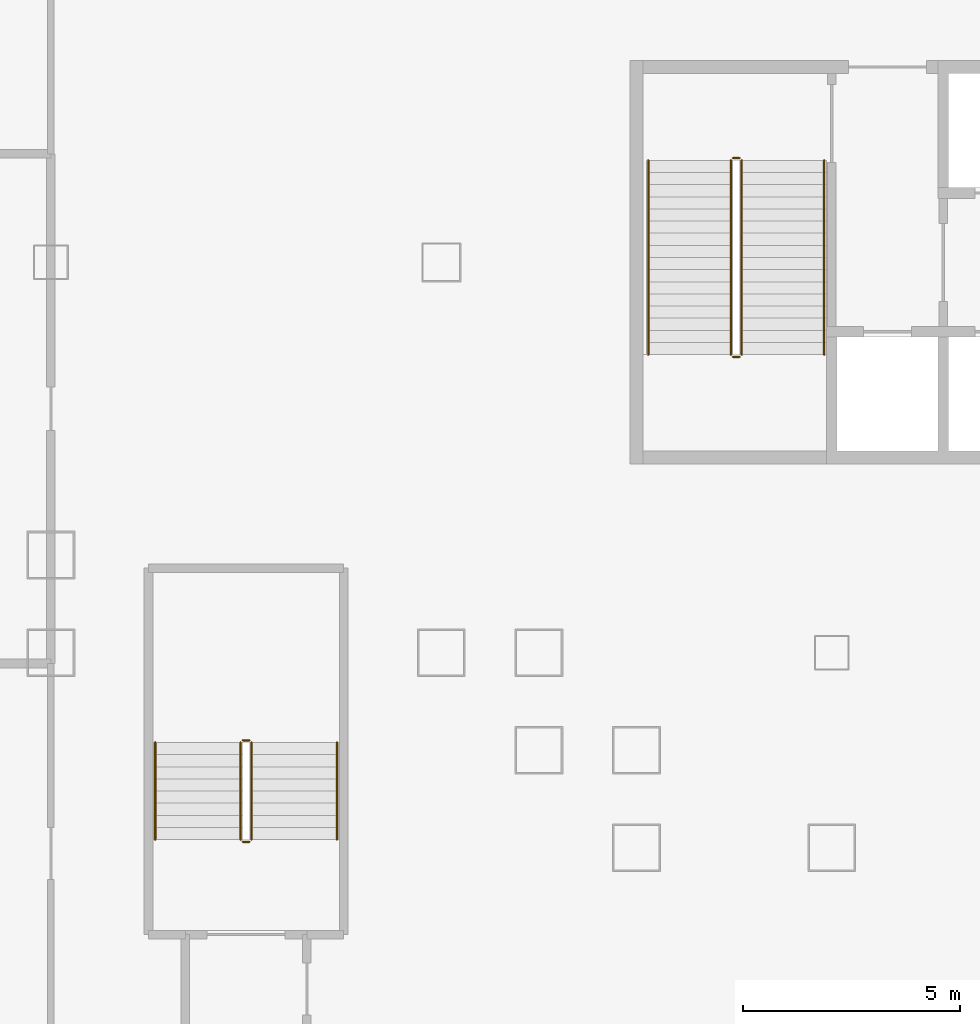
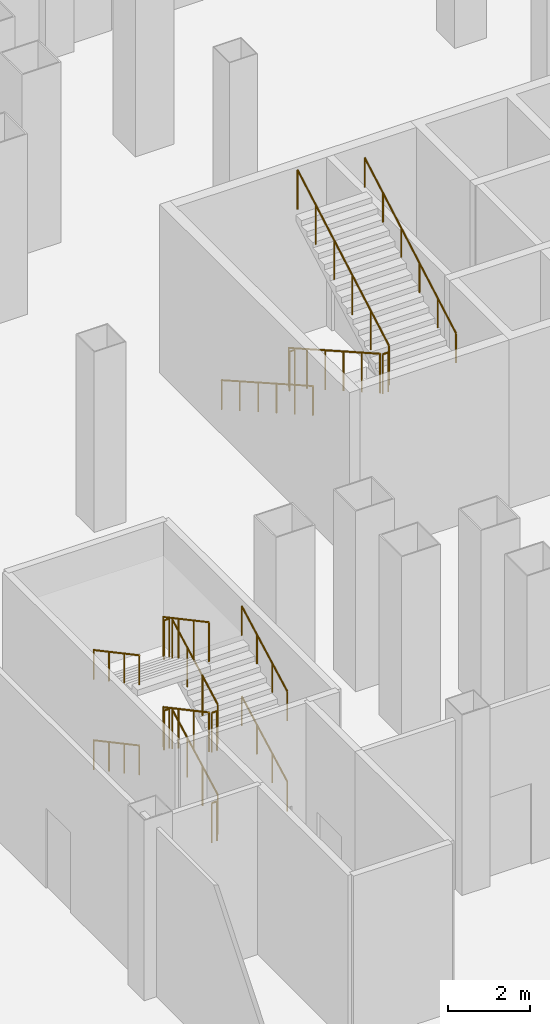
# One storey, part 22 of 26: 18 railings.
"""IFC4 building model written with IfcOpenShell, lengths in metres."""

from ifc_helpers import new_model, si_unit, direction, frame, origin, origin_2d, place, context, subcontext, project, spatial, circle, extrude, material, type_object, element, save


model = new_model("IFC4")

# Units and contexts
model_context = context("Model", 3, precision=1e-05, world=origin(), true_north=direction((0.0, 1.0)))
body_context = subcontext(model_context, "Body", "Model", "MODEL_VIEW")
ifc_project = project(units=[si_unit("LENGTHUNIT", "METRE"), si_unit("AREAUNIT", "SQUARE_METRE"), si_unit("VOLUMEUNIT", "CUBIC_METRE"), si_unit("PLANEANGLEUNIT", "RADIAN"), si_unit("MASSUNIT", "GRAM", prefix="KILO")], contexts=[model_context])

# Site, building, storey
site_placement = place(None, origin())
site = spatial("IfcSite", under=ifc_project, at=site_placement, CompositionType="ELEMENT")
building_placement = place(site_placement, origin())
building = spatial("IfcBuilding", under=site, at=building_placement, Name="Caravel Reach Hotel and Residences", CompositionType="ELEMENT")
storey_placement = place(building_placement, frame((0.0, 0.0, 12.0)))
storey = spatial("IfcBuildingStorey", under=building, at=storey_placement, Name="L02", CompositionType="ELEMENT", Elevation=12.0)

# Railings
ifc_material_1 = material(Name="Steel balustrade with glass infill", Category="steel")
railing_type_1 = type_object("IfcRailingType", Name="Guard 1200", PredefinedType="GUARDRAIL", material=ifc_material_1)
railing_1_placement = place(storey_placement, frame((20.175048828125, 29.35009765625, 0.158935546875)))
element("IfcRailing", 1, at=railing_1_placement, inside=storey, type_object=railing_type_1, Name="L02 ST-A stair guard 1", PredefinedType="GUARDRAIL", context=body_context, shape_type="SweptSolid", body=[
    extrude(circle(Radius=0.02392578125, at=origin_2d()), frame((0.0, 0.0, 1.17578125), z_axis=(0.0, -0.869825572089, 0.493359376256), x_axis=(1.0, 0.0, 0.0)), (0.0, 0.0, 1.0), 5.150390625),
    extrude(circle(Radius=0.02099609375, at=origin_2d()), origin(), (0.0, 0.0, 1.0), 1.15185546875),
    extrude(circle(Radius=0.02099609375, at=origin_2d()), frame((0.0, -0.89599609375, 0.50830078125)), (0.0, 0.0, 1.0), 1.15185546875),
    extrude(circle(Radius=0.02099609375, at=origin_2d()), frame((0.0, -1.7919921875, 1.016357421875)), (0.0, 0.0, 1.0), 1.15185546875),
    extrude(circle(Radius=0.02099609375, at=origin_2d()), frame((0.0, -2.68798828125, 1.524658203125)), (0.0, 0.0, 1.0), 1.15185546875),
    extrude(circle(Radius=0.02099609375, at=origin_2d()), frame((0.0, -3.583984375, 2.03271484375)), (0.0, 0.0, 1.0), 1.15185546875),
    extrude(circle(Radius=0.02099609375, at=origin_2d()), frame((0.0, -4.47998046875, 2.541015625)), (0.0, 0.0, 1.0), 1.15185546875),
])
railing_2_placement = place(storey_placement, frame((20.22509765625, 24.820068359375, 2.699951171875)))
element("IfcRailing", 2, at=railing_2_placement, inside=storey, type_object=railing_type_1, Name="L02 ST-A stair guard 2", PredefinedType="GUARDRAIL", context=body_context, shape_type="SweptSolid", body=[
    extrude(circle(Radius=0.02392578125, at=origin_2d()), frame((0.0, 0.0, 1.17578125), z_axis=(1.0, 0.0, 0.0), x_axis=(0.0, 1.0, 0.0)), (0.0, 0.0, 1.0), 0.14990234375),
    extrude(circle(Radius=0.02099609375, at=origin_2d()), origin(), (0.0, 0.0, 1.0), 1.15185546875),
    extrude(circle(Radius=0.02099609375, at=origin_2d()), frame((0.14990234375, 0.0, 0.0)), (0.0, 0.0, 1.0), 1.15185546875),
])
railing_3_placement = place(storey_placement, frame((20.425048828125, 24.8701171875, 2.85888671875)))
element("IfcRailing", 3, at=railing_3_placement, inside=storey, type_object=railing_type_1, Name="L02 ST-A stair guard 3", PredefinedType="GUARDRAIL", context=body_context, shape_type="SweptSolid", body=[
    extrude(circle(Radius=0.02392578125, at=origin_2d()), frame((0.0, 0.0, 1.17578125), z_axis=(0.0, 0.869825572089, 0.493359376256), x_axis=(-1.0, 0.0, 0.0)), (0.0, 0.0, 1.0), 5.150390625),
    extrude(circle(Radius=0.02099609375, at=origin_2d()), origin(), (0.0, 0.0, 1.0), 1.15185546875),
    extrude(circle(Radius=0.02099609375, at=origin_2d()), frame((0.0, 0.89599609375, 0.50830078125)), (0.0, 0.0, 1.0), 1.15185546875),
    extrude(circle(Radius=0.02099609375, at=origin_2d()), frame((0.0, 1.7919921875, 1.016357421875)), (0.0, 0.0, 1.0), 1.15185546875),
    extrude(circle(Radius=0.02099609375, at=origin_2d()), frame((0.0, 2.68798828125, 1.524658203125)), (0.0, 0.0, 1.0), 1.15185546875),
    extrude(circle(Radius=0.02099609375, at=origin_2d()), frame((0.0, 3.583984375, 2.03271484375)), (0.0, 0.0, 1.0), 1.15185546875),
    extrude(circle(Radius=0.02099609375, at=origin_2d()), frame((0.0, 4.47998046875, 2.541015625)), (0.0, 0.0, 1.0), 1.15185546875),
])
railing_4_placement = place(storey_placement, frame((20.22509765625, 29.39990234375, 0.0)))
element("IfcRailing", 4, at=railing_4_placement, inside=storey, type_object=railing_type_1, Name="L02 ST-A stair guard 4", PredefinedType="GUARDRAIL", context=body_context, shape_type="SweptSolid", body=[
    extrude(circle(Radius=0.02392578125, at=origin_2d()), frame((0.0, 0.0, 1.17578125), z_axis=(1.0, 0.0, 0.0), x_axis=(0.0, 1.0, 0.0)), (0.0, 0.0, 1.0), 0.14990234375),
    extrude(circle(Radius=0.02099609375, at=origin_2d()), origin(), (0.0, 0.0, 1.0), 1.15185546875),
    extrude(circle(Radius=0.02099609375, at=origin_2d()), frame((0.14990234375, 0.0, 0.0)), (0.0, 0.0, 1.0), 1.15185546875),
])
railing_5_placement = place(storey_placement, frame((9.125, 13.68994140625, 0.14990234375)))
element("IfcRailing", 5, at=railing_5_placement, inside=storey, type_object=railing_type_1, Name="L02 ST-P3 stair guard 1", PredefinedType="GUARDRAIL", context=body_context, shape_type="SweptSolid", body=[
    extrude(circle(Radius=0.02392578125, at=origin_2d()), frame((0.0, 0.0, 1.17578125), z_axis=(0.0, 0.881447119201, 0.472282728937), x_axis=(-1.0, 0.0, 0.0)), (0.0, 0.0, 1.0), 2.541259765625),
    extrude(circle(Radius=0.02099609375, at=origin_2d()), origin(), (0.0, 0.0, 1.0), 1.15185546875),
    extrude(circle(Radius=0.02099609375, at=origin_2d()), frame((0.0, 0.74658203125, 0.400146484375)), (0.0, 0.0, 1.0), 1.15185546875),
    extrude(circle(Radius=0.02099609375, at=origin_2d()), frame((0.0, 1.493408203125, 0.800048828125)), (0.0, 0.0, 1.0), 1.15185546875),
    extrude(circle(Radius=0.02099609375, at=origin_2d()), frame((0.0, 2.239990234375, 1.2001953125)), (0.0, 0.0, 1.0), 1.15185546875),
])
railing_6_placement = place(storey_placement, frame((9.074951171875, 15.97998046875, 1.35009765625)))
element("IfcRailing", 6, at=railing_6_placement, inside=storey, type_object=railing_type_1, Name="L02 ST-P3 stair guard 2", PredefinedType="GUARDRAIL", context=body_context, shape_type="SweptSolid", body=[
    extrude(circle(Radius=0.02392578125, at=origin_2d()), frame((0.0, 0.0, 1.17578125), z_axis=(-1.0, 0.0, 0.0), x_axis=(0.0, -1.0, 0.0)), (0.0, 0.0, 1.0), 0.14990234375),
    extrude(circle(Radius=0.02099609375, at=origin_2d()), origin(), (0.0, 0.0, 1.0), 1.15185546875),
    extrude(circle(Radius=0.02099609375, at=origin_2d()), frame((-0.14990234375, 0.0, 0.0)), (0.0, 0.0, 1.0), 1.15185546875),
])
railing_7_placement = place(storey_placement, frame((8.875, 15.929931640625, 1.5)))
element("IfcRailing", 7, at=railing_7_placement, inside=storey, type_object=railing_type_1, Name="L02 ST-P3 stair guard 3", PredefinedType="GUARDRAIL", context=body_context, shape_type="SweptSolid", body=[
    extrude(circle(Radius=0.02392578125, at=origin_2d()), frame((0.0, 0.0, 1.17578125), z_axis=(0.0, -0.881487111273, 0.472208081951), x_axis=(1.0, 0.0, 0.0)), (0.0, 0.0, 1.0), 2.541259765625),
    extrude(circle(Radius=0.02099609375, at=origin_2d()), origin(), (0.0, 0.0, 1.0), 1.15185546875),
    extrude(circle(Radius=0.02099609375, at=origin_2d()), frame((0.0, -0.74658203125, 0.39990234375)), (0.0, 0.0, 1.0), 1.15185546875),
    extrude(circle(Radius=0.02099609375, at=origin_2d()), frame((0.0, -1.493408203125, 0.800048828125)), (0.0, 0.0, 1.0), 1.15185546875),
    extrude(circle(Radius=0.02099609375, at=origin_2d()), frame((0.0, -2.239990234375, 1.199951171875)), (0.0, 0.0, 1.0), 1.15185546875),
])
railing_8_placement = place(storey_placement, frame((9.074951171875, 13.639892578125, 2.699951171875)))
element("IfcRailing", 8, at=railing_8_placement, inside=storey, type_object=railing_type_1, Name="L02 ST-P3 stair guard 4", PredefinedType="GUARDRAIL", context=body_context, shape_type="SweptSolid", body=[
    extrude(circle(Radius=0.02392578125, at=origin_2d()), frame((0.0, 0.0, 1.17578125), z_axis=(-1.0, 0.0, 0.0), x_axis=(0.0, -1.0, 0.0)), (0.0, 0.0, 1.0), 0.14990234375),
    extrude(circle(Radius=0.02099609375, at=origin_2d()), origin(), (0.0, 0.0, 1.0), 1.15185546875),
    extrude(circle(Radius=0.02099609375, at=origin_2d()), frame((-0.14990234375, 0.0, 0.0)), (0.0, 0.0, 1.0), 1.15185546875),
])
railing_9_placement = place(storey_placement, frame((9.125, 13.68994140625, 2.85009765625)))
element("IfcRailing", 9, at=railing_9_placement, inside=storey, type_object=railing_type_1, Name="L02 ST-P3 stair guard 5", PredefinedType="GUARDRAIL", context=body_context, shape_type="SweptSolid", body=[
    extrude(circle(Radius=0.02392578125, at=origin_2d()), frame((0.0, 0.0, 1.17578125), z_axis=(0.0, 0.881487111273, 0.472208081951), x_axis=(-1.0, 0.0, 0.0)), (0.0, 0.0, 1.0), 2.541259765625),
    extrude(circle(Radius=0.02099609375, at=origin_2d()), origin(), (0.0, 0.0, 1.0), 1.15185546875),
    extrude(circle(Radius=0.02099609375, at=origin_2d()), frame((0.0, 0.74658203125, 0.39990234375)), (0.0, 0.0, 1.0), 1.15185546875),
    extrude(circle(Radius=0.02099609375, at=origin_2d()), frame((0.0, 1.493408203125, 0.800048828125)), (0.0, 0.0, 1.0), 1.15185546875),
    extrude(circle(Radius=0.02099609375, at=origin_2d()), frame((0.0, 2.239990234375, 1.199951171875)), (0.0, 0.0, 1.0), 1.15185546875),
])
railing_10_placement = place(storey_placement, frame((9.074951171875, 15.97998046875, 4.050048828125)))
element("IfcRailing", 10, at=railing_10_placement, inside=storey, type_object=railing_type_1, Name="L02 ST-P3 stair guard 6", PredefinedType="GUARDRAIL", context=body_context, shape_type="SweptSolid", body=[
    extrude(circle(Radius=0.02392578125, at=origin_2d()), frame((0.0, 0.0, 1.17578125), z_axis=(-1.0, 0.0, 0.0), x_axis=(0.0, -1.0, 0.0)), (0.0, 0.0, 1.0), 0.14990234375),
    extrude(circle(Radius=0.02099609375, at=origin_2d()), origin(), (0.0, 0.0, 1.0), 1.15185546875),
    extrude(circle(Radius=0.02099609375, at=origin_2d()), frame((-0.14990234375, 0.0, 0.0)), (0.0, 0.0, 1.0), 1.15185546875),
])
railing_11_placement = place(storey_placement, frame((8.875, 15.929931640625, 4.199951171875)))
element("IfcRailing", 11, at=railing_11_placement, inside=storey, type_object=railing_type_1, Name="L02 ST-P3 stair guard 7", PredefinedType="GUARDRAIL", context=body_context, shape_type="SweptSolid", body=[
    extrude(circle(Radius=0.02392578125, at=origin_2d()), frame((0.0, 0.0, 1.17578125), z_axis=(0.0, -0.881487111273, 0.472208081951), x_axis=(1.0, 0.0, 0.0)), (0.0, 0.0, 1.0), 2.541259765625),
    extrude(circle(Radius=0.02099609375, at=origin_2d()), origin(), (0.0, 0.0, 1.0), 1.15185546875),
    extrude(circle(Radius=0.02099609375, at=origin_2d()), frame((0.0, -0.74658203125, 0.39990234375)), (0.0, 0.0, 1.0), 1.15185546875),
    extrude(circle(Radius=0.02099609375, at=origin_2d()), frame((0.0, -1.493408203125, 0.800048828125)), (0.0, 0.0, 1.0), 1.15185546875),
    extrude(circle(Radius=0.02099609375, at=origin_2d()), frame((0.0, -2.239990234375, 1.199951171875)), (0.0, 0.0, 1.0), 1.15185546875),
])
railing_12_placement = place(storey_placement, frame((9.074951171875, 13.639892578125, 0.0)))
element("IfcRailing", 12, at=railing_12_placement, inside=storey, type_object=railing_type_1, Name="L02 ST-P3 stair guard 8", PredefinedType="GUARDRAIL", context=body_context, shape_type="SweptSolid", body=[
    extrude(circle(Radius=0.02392578125, at=origin_2d()), frame((0.0, 0.0, 1.17578125), z_axis=(-1.0, 0.0, 0.0), x_axis=(0.0, -1.0, 0.0)), (0.0, 0.0, 1.0), 0.14990234375),
    extrude(circle(Radius=0.02099609375, at=origin_2d()), origin(), (0.0, 0.0, 1.0), 1.15185546875),
    extrude(circle(Radius=0.02099609375, at=origin_2d()), frame((-0.14990234375, 0.0, 0.0)), (0.0, 0.0, 1.0), 1.15185546875),
])
ifc_material_2 = material(Name="Stainless steel handrail", Category="steel")
railing_type_2 = type_object("IfcRailingType", Name="Handrail 900", PredefinedType="HANDRAIL", material=ifc_material_2)
railing_13_placement = place(storey_placement, frame((18.27490234375, 29.35009765625, 0.158935546875)))
element("IfcRailing", 13, at=railing_13_placement, inside=storey, type_object=railing_type_2, Name="L02 ST-A stair handrail 1", PredefinedType="HANDRAIL", context=body_context, shape_type="SweptSolid", body=[
    extrude(circle(Radius=0.02392578125, at=origin_2d()), frame((0.0, 0.0, 0.8759765625), z_axis=(0.0, -0.869825572089, 0.493359376256), x_axis=(1.0, 0.0, 0.0)), (0.0, 0.0, 1.0), 5.150390625),
    extrude(circle(Radius=0.02099609375, at=origin_2d()), origin(), (0.0, 0.0, 1.0), 0.851806640625),
    extrude(circle(Radius=0.02099609375, at=origin_2d()), frame((0.0, -0.89599609375, 0.50830078125)), (0.0, 0.0, 1.0), 0.851806640625),
    extrude(circle(Radius=0.02099609375, at=origin_2d()), frame((0.0, -1.7919921875, 1.016357421875)), (0.0, 0.0, 1.0), 0.851806640625),
    extrude(circle(Radius=0.02099609375, at=origin_2d()), frame((0.0, -2.68798828125, 1.524658203125)), (0.0, 0.0, 1.0), 0.851806640625),
    extrude(circle(Radius=0.02099609375, at=origin_2d()), frame((0.0, -3.583984375, 2.03271484375)), (0.0, 0.0, 1.0), 0.851806640625),
    extrude(circle(Radius=0.02099609375, at=origin_2d()), frame((0.0, -4.47998046875, 2.541015625)), (0.0, 0.0, 1.0), 0.851806640625),
])
railing_14_placement = place(storey_placement, frame((22.324951171875, 24.8701171875, 2.85888671875)))
element("IfcRailing", 14, at=railing_14_placement, inside=storey, type_object=railing_type_2, Name="L02 ST-A stair handrail 2", PredefinedType="HANDRAIL", context=body_context, shape_type="SweptSolid", body=[
    extrude(circle(Radius=0.02392578125, at=origin_2d()), frame((0.0, 0.0, 0.8759765625), z_axis=(0.0, 0.869825572089, 0.493359376256), x_axis=(-1.0, 0.0, 0.0)), (0.0, 0.0, 1.0), 5.150390625),
    extrude(circle(Radius=0.02099609375, at=origin_2d()), origin(), (0.0, 0.0, 1.0), 0.851806640625),
    extrude(circle(Radius=0.02099609375, at=origin_2d()), frame((0.0, 0.89599609375, 0.50830078125)), (0.0, 0.0, 1.0), 0.851806640625),
    extrude(circle(Radius=0.02099609375, at=origin_2d()), frame((0.0, 1.7919921875, 1.016357421875)), (0.0, 0.0, 1.0), 0.851806640625),
    extrude(circle(Radius=0.02099609375, at=origin_2d()), frame((0.0, 2.68798828125, 1.524658203125)), (0.0, 0.0, 1.0), 0.851806640625),
    extrude(circle(Radius=0.02099609375, at=origin_2d()), frame((0.0, 3.583984375, 2.03271484375)), (0.0, 0.0, 1.0), 0.851806640625),
    extrude(circle(Radius=0.02099609375, at=origin_2d()), frame((0.0, 4.47998046875, 2.541015625)), (0.0, 0.0, 1.0), 0.851806640625),
])
railing_15_placement = place(storey_placement, frame((11.094970703125, 13.68994140625, 0.14990234375)))
element("IfcRailing", 15, at=railing_15_placement, inside=storey, type_object=railing_type_2, Name="L02 ST-P3 stair handrail 1", PredefinedType="HANDRAIL", context=body_context, shape_type="SweptSolid", body=[
    extrude(circle(Radius=0.02392578125, at=origin_2d()), frame((0.0, 0.0, 0.8759765625), z_axis=(0.0, 0.881447119201, 0.472282728937), x_axis=(-1.0, 0.0, 0.0)), (0.0, 0.0, 1.0), 2.541259765625),
    extrude(circle(Radius=0.02099609375, at=origin_2d()), origin(), (0.0, 0.0, 1.0), 0.851806640625),
    extrude(circle(Radius=0.02099609375, at=origin_2d()), frame((0.0, 0.74658203125, 0.400146484375)), (0.0, 0.0, 1.0), 0.851806640625),
    extrude(circle(Radius=0.02099609375, at=origin_2d()), frame((0.0, 1.493408203125, 0.800048828125)), (0.0, 0.0, 1.0), 0.851806640625),
    extrude(circle(Radius=0.02099609375, at=origin_2d()), frame((0.0, 2.239990234375, 1.2001953125)), (0.0, 0.0, 1.0), 0.851806640625),
])
railing_16_placement = place(storey_placement, frame((6.905029296875, 15.929931640625, 1.5)))
element("IfcRailing", 16, at=railing_16_placement, inside=storey, type_object=railing_type_2, Name="L02 ST-P3 stair handrail 2", PredefinedType="HANDRAIL", context=body_context, shape_type="SweptSolid", body=[
    extrude(circle(Radius=0.02392578125, at=origin_2d()), frame((0.0, 0.0, 0.8759765625), z_axis=(0.0, -0.881487111273, 0.472208081951), x_axis=(1.0, 0.0, 0.0)), (0.0, 0.0, 1.0), 2.541259765625),
    extrude(circle(Radius=0.02099609375, at=origin_2d()), origin(), (0.0, 0.0, 1.0), 0.851806640625),
    extrude(circle(Radius=0.02099609375, at=origin_2d()), frame((0.0, -0.74658203125, 0.39990234375)), (0.0, 0.0, 1.0), 0.851806640625),
    extrude(circle(Radius=0.02099609375, at=origin_2d()), frame((0.0, -1.493408203125, 0.800048828125)), (0.0, 0.0, 1.0), 0.851806640625),
    extrude(circle(Radius=0.02099609375, at=origin_2d()), frame((0.0, -2.239990234375, 1.199951171875)), (0.0, 0.0, 1.0), 0.851806640625),
])
railing_17_placement = place(storey_placement, frame((11.094970703125, 13.68994140625, 2.85009765625)))
element("IfcRailing", 17, at=railing_17_placement, inside=storey, type_object=railing_type_2, Name="L02 ST-P3 stair handrail 3", PredefinedType="HANDRAIL", context=body_context, shape_type="SweptSolid", body=[
    extrude(circle(Radius=0.02392578125, at=origin_2d()), frame((0.0, 0.0, 0.8759765625), z_axis=(0.0, 0.881487111273, 0.472208081951), x_axis=(-1.0, 0.0, 0.0)), (0.0, 0.0, 1.0), 2.541259765625),
    extrude(circle(Radius=0.02099609375, at=origin_2d()), origin(), (0.0, 0.0, 1.0), 0.851806640625),
    extrude(circle(Radius=0.02099609375, at=origin_2d()), frame((0.0, 0.74658203125, 0.39990234375)), (0.0, 0.0, 1.0), 0.851806640625),
    extrude(circle(Radius=0.02099609375, at=origin_2d()), frame((0.0, 1.493408203125, 0.800048828125)), (0.0, 0.0, 1.0), 0.851806640625),
    extrude(circle(Radius=0.02099609375, at=origin_2d()), frame((0.0, 2.239990234375, 1.199951171875)), (0.0, 0.0, 1.0), 0.851806640625),
])
railing_18_placement = place(storey_placement, frame((6.905029296875, 15.929931640625, 4.199951171875)))
element("IfcRailing", 18, at=railing_18_placement, inside=storey, type_object=railing_type_2, Name="L02 ST-P3 stair handrail 4", PredefinedType="HANDRAIL", context=body_context, shape_type="SweptSolid", body=[
    extrude(circle(Radius=0.02392578125, at=origin_2d()), frame((0.0, 0.0, 0.8759765625), z_axis=(0.0, -0.881487111273, 0.472208081951), x_axis=(1.0, 0.0, 0.0)), (0.0, 0.0, 1.0), 2.541259765625),
    extrude(circle(Radius=0.02099609375, at=origin_2d()), origin(), (0.0, 0.0, 1.0), 0.851806640625),
    extrude(circle(Radius=0.02099609375, at=origin_2d()), frame((0.0, -0.74658203125, 0.39990234375)), (0.0, 0.0, 1.0), 0.851806640625),
    extrude(circle(Radius=0.02099609375, at=origin_2d()), frame((0.0, -1.493408203125, 0.800048828125)), (0.0, 0.0, 1.0), 0.851806640625),
    extrude(circle(Radius=0.02099609375, at=origin_2d()), frame((0.0, -2.239990234375, 1.199951171875)), (0.0, 0.0, 1.0), 0.851806640625),
])

save(model, "model.ifc")
